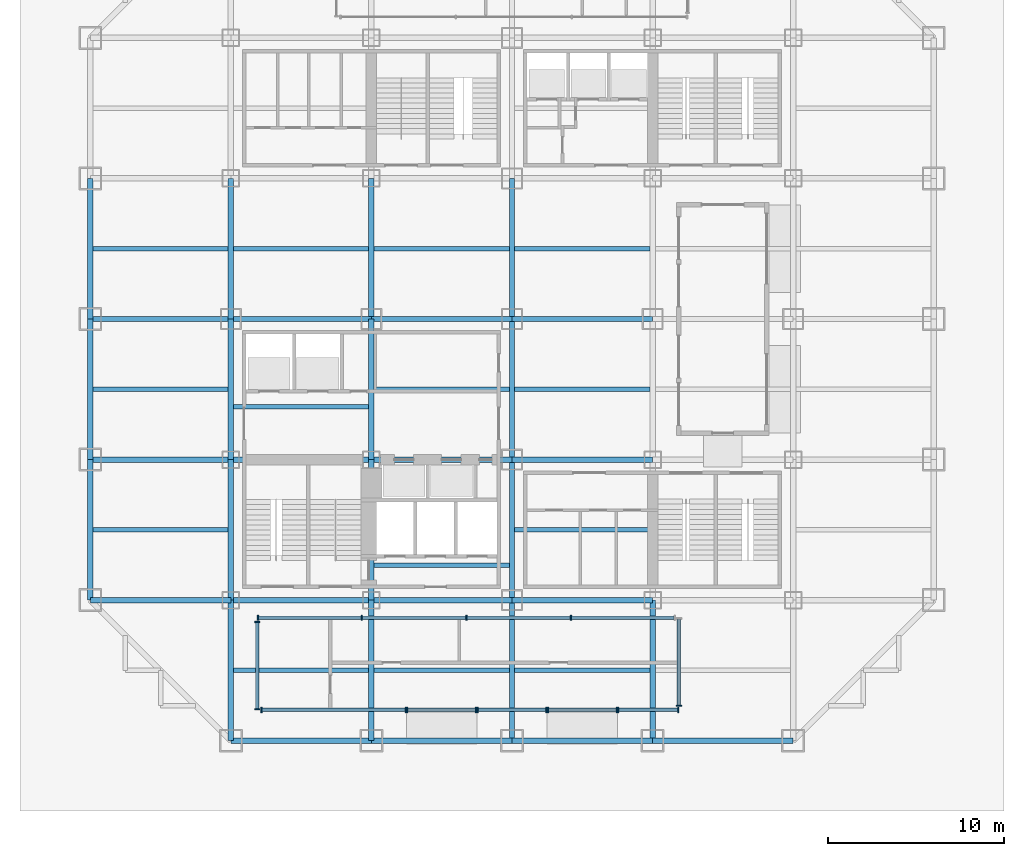
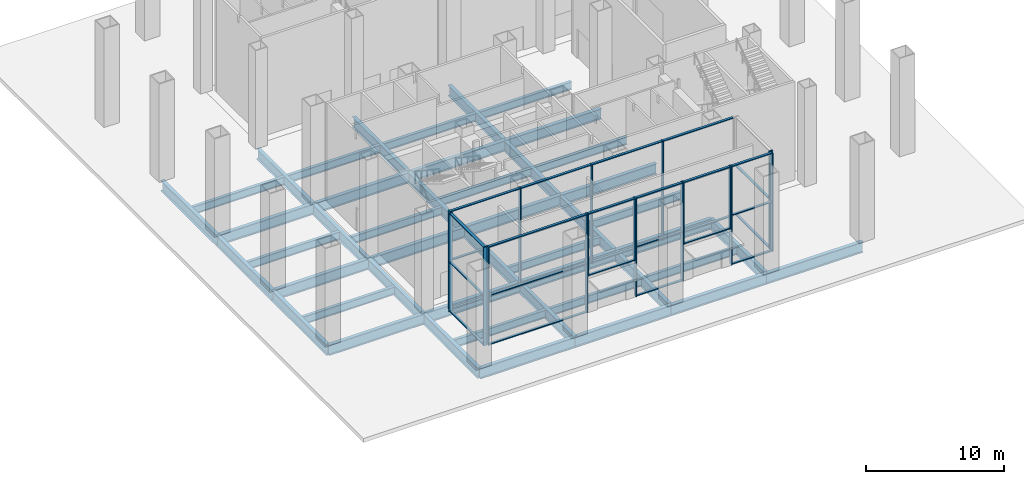
# One storey, part 2 of 14: 47 members, 46 beams, 8 elements without a shape of their own.
"""IFC4 building model written with IfcOpenShell, lengths in metres."""

from ifc_helpers import new_model, si_unit, direction, frame, origin, origin_2d, place, context, subcontext, project, spatial, rectangle, i_section, extrude, material, material_profile, profile_set, type_object, element, aggregate, save


model = new_model("IFC4")

# Units and contexts
model_context = context("Model", 3, precision=1e-05, world=origin(), true_north=direction((0.0, 1.0)))
body_context = subcontext(model_context, "Body", "Model", "MODEL_VIEW")
ifc_project = project(units=[si_unit("LENGTHUNIT", "METRE"), si_unit("AREAUNIT", "SQUARE_METRE"), si_unit("VOLUMEUNIT", "CUBIC_METRE"), si_unit("PLANEANGLEUNIT", "RADIAN"), si_unit("MASSUNIT", "GRAM", prefix="KILO")], contexts=[model_context])

# Site, building, storey
site_placement = place(None, origin())
site = spatial("IfcSite", under=ifc_project, at=site_placement, CompositionType="ELEMENT")
building_placement = place(site_placement, origin())
building = spatial("IfcBuilding", under=site, at=building_placement, Name="Immortelle Media Tower", CompositionType="ELEMENT")
storey_placement = place(building_placement, origin())
storey = spatial("IfcBuildingStorey", under=building, at=storey_placement, Name="G", CompositionType="ELEMENT", Elevation=0.0)

# Curtain wall, member
ifc_material_1 = material(Name="Aluminium curtain wall system", Category="aluminium")
curtain_wall_type = type_object("IfcCurtainWallType", Name="Lobby glazing curtain wall", PredefinedType="NOTDEFINED", material=ifc_material_1)
curtain_wall_1_placement = place(storey_placement, origin())
curtain_wall_1 = element("IfcCurtainWall", 1, at=curtain_wall_1_placement, inside=storey, type_object=curtain_wall_type, Name="Lobby glazing G E 1", PredefinedType="NOTDEFINED")
ifc_material_2 = material(Name="Aluminium 6063-T6", Category="aluminium")
ifc_material_profile_1 = material_profile(ifc_material_2, rectangle(XDim=0.300048828125, YDim=0.080078125, at=origin_2d()), Name="AL 80x300")
ifc_profile_set_1 = profile_set([ifc_material_profile_1], Name="Aluminium 6063-T6")
member_type_1 = type_object("IfcMemberType", Name="Lobby glazing mullion 80 x 300", PredefinedType="MULLION", material=ifc_profile_set_1)
member_1_placement = place(storey_placement, frame((33.5, 1.989990234375, 0.0), z_axis=(0.0, 0.0, 1.0), x_axis=(-1.0, 0.0, 0.0)))
member_1 = element("IfcMember", 2, at=member_1_placement, type_object=member_type_1, Name="CW1 mullion 1", PredefinedType="MULLION", context=body_context, shape_type="SweptSolid", body=[
    extrude(rectangle(XDim=0.300048828125, YDim=0.080078125, at=origin_2d()), origin(), (0.0, 0.0, 1.0), 8.699951171875),
])

# Curtain wall, members
curtain_wall_2_placement = place(storey_placement, origin())
curtain_wall_2 = element("IfcCurtainWall", 3, at=curtain_wall_2_placement, inside=storey, type_object=curtain_wall_type, Name="Lobby glazing G N 2", PredefinedType="NOTDEFINED")
member_2_placement = place(storey_placement, frame((27.35009765625, 7.0, 0.0), z_axis=(0.0, 0.0, 1.0), x_axis=(0.0, -1.0, 0.0)))
member_2 = element("IfcMember", 4, at=member_2_placement, type_object=member_type_1, Name="CW1 mullion 2", PredefinedType="MULLION", context=body_context, shape_type="SweptSolid", body=[
    extrude(rectangle(XDim=0.300048828125, YDim=0.080078125, at=origin_2d()), origin(), (0.0, 0.0, 1.0), 8.699951171875),
])
member_3_placement = place(storey_placement, frame((21.39990234375, 7.0, 0.0), z_axis=(0.0, 0.0, 1.0), x_axis=(0.0, -1.0, 0.0)))
member_3 = element("IfcMember", 5, at=member_3_placement, type_object=member_type_1, Name="CW1 mullion 3", PredefinedType="MULLION", context=body_context, shape_type="SweptSolid", body=[
    extrude(rectangle(XDim=0.300048828125, YDim=0.080078125, at=origin_2d()), origin(), (0.0, 0.0, 1.0), 8.699951171875),
])
member_4_placement = place(storey_placement, frame((15.449951171875, 7.0, 0.0), z_axis=(0.0, 0.0, 1.0), x_axis=(0.0, -1.0, 0.0)))
member_4 = element("IfcMember", 6, at=member_4_placement, type_object=member_type_1, Name="CW1 mullion 4", PredefinedType="MULLION", context=body_context, shape_type="SweptSolid", body=[
    extrude(rectangle(XDim=0.300048828125, YDim=0.080078125, at=origin_2d()), origin(), (0.0, 0.0, 1.0), 8.699951171875),
])
member_5_placement = place(storey_placement, frame((9.5400390625, 7.0, 0.0), z_axis=(0.0, 0.0, 1.0), x_axis=(0.0, -1.0, 0.0)))
member_5 = element("IfcMember", 7, at=member_5_placement, type_object=member_type_1, Name="CW1 mullion 5", PredefinedType="MULLION", context=body_context, shape_type="SweptSolid", body=[
    extrude(rectangle(XDim=0.300048828125, YDim=0.080078125, at=origin_2d()), origin(), (0.0, 0.0, 1.0), 8.699951171875),
])

curtain_wall_3_placement = place(storey_placement, origin())
curtain_wall_3 = element("IfcCurtainWall", 8, at=curtain_wall_3_placement, inside=storey, type_object=curtain_wall_type, Name="Lobby glazing G W 3", PredefinedType="NOTDEFINED")
member_6_placement = place(storey_placement, frame((9.5, 6.760009765625, 0.0), z_axis=(0.0, 0.0, 1.0), x_axis=(1.0, 0.0, 0.0)))
member_6 = element("IfcMember", 9, at=member_6_placement, type_object=member_type_1, Name="CW1 mullion 1", PredefinedType="MULLION", context=body_context, shape_type="SweptSolid", body=[
    extrude(rectangle(XDim=0.300048828125, YDim=0.080078125, at=origin_2d()), origin(), (0.0, 0.0, 1.0), 8.699951171875),
])
member_7_placement = place(storey_placement, frame((9.5, 1.7900390625, 0.0), z_axis=(0.0, 0.0, 1.0), x_axis=(1.0, 0.0, 0.0)))
member_7 = element("IfcMember", 10, at=member_7_placement, type_object=member_type_1, Name="CW1 mullion 2", PredefinedType="MULLION", context=body_context, shape_type="SweptSolid", body=[
    extrude(rectangle(XDim=0.300048828125, YDim=0.080078125, at=origin_2d()), origin(), (0.0, 0.0, 1.0), 8.699951171875),
])

curtain_wall_4_placement = place(storey_placement, origin())
curtain_wall_4 = element("IfcCurtainWall", 11, at=curtain_wall_4_placement, inside=storey, type_object=curtain_wall_type, Name="Lobby glazing G S 4-1", PredefinedType="NOTDEFINED")
member_8_placement = place(storey_placement, frame((9.739990234375, 1.75, 0.0), z_axis=(0.0, 0.0, 1.0), x_axis=(0.0, 1.0, 0.0)))
member_8 = element("IfcMember", 12, at=member_8_placement, type_object=member_type_1, Name="CW1 mullion 1", PredefinedType="MULLION", context=body_context, shape_type="SweptSolid", body=[
    extrude(rectangle(XDim=0.300048828125, YDim=0.080078125, at=origin_2d()), origin(), (0.0, 0.0, 1.0), 8.699951171875),
])
member_9_placement = place(storey_placement, frame((17.9599609375, 1.75, 0.0), z_axis=(0.0, 0.0, 1.0), x_axis=(0.0, 1.0, 0.0)))
member_9 = element("IfcMember", 13, at=member_9_placement, type_object=member_type_1, Name="CW1 mullion 2", PredefinedType="MULLION", context=body_context, shape_type="SweptSolid", body=[
    extrude(rectangle(XDim=0.300048828125, YDim=0.080078125, at=origin_2d()), origin(), (0.0, 0.0, 1.0), 8.699951171875),
])

curtain_wall_5_placement = place(storey_placement, origin())
curtain_wall_5 = element("IfcCurtainWall", 14, at=curtain_wall_5_placement, inside=storey, type_object=curtain_wall_type, Name="Lobby glazing above doors G S 4-2", PredefinedType="NOTDEFINED")
member_10_placement = place(storey_placement, frame((18.0400390625, 1.75, 3.199951171875), z_axis=(0.0, 0.0, 1.0), x_axis=(0.0, 1.0, 0.0)))
member_10 = element("IfcMember", 15, at=member_10_placement, type_object=member_type_1, Name="CW1 mullion 1", PredefinedType="MULLION", context=body_context, shape_type="SweptSolid", body=[
    extrude(rectangle(XDim=0.300048828125, YDim=0.080078125, at=origin_2d()), origin(), (0.0, 0.0, 1.0), 5.5),
])
member_11_placement = place(storey_placement, frame((21.9599609375, 1.75, 3.199951171875), z_axis=(0.0, 0.0, 1.0), x_axis=(0.0, 1.0, 0.0)))
member_11 = element("IfcMember", 16, at=member_11_placement, type_object=member_type_1, Name="CW1 mullion 2", PredefinedType="MULLION", context=body_context, shape_type="SweptSolid", body=[
    extrude(rectangle(XDim=0.300048828125, YDim=0.080078125, at=origin_2d()), origin(), (0.0, 0.0, 1.0), 5.5),
])

curtain_wall_6_placement = place(storey_placement, origin())
curtain_wall_6 = element("IfcCurtainWall", 17, at=curtain_wall_6_placement, inside=storey, type_object=curtain_wall_type, Name="Lobby glazing G S 4-3", PredefinedType="NOTDEFINED")
member_12_placement = place(storey_placement, frame((22.0400390625, 1.75, 0.0), z_axis=(0.0, 0.0, 1.0), x_axis=(0.0, 1.0, 0.0)))
member_12 = element("IfcMember", 18, at=member_12_placement, type_object=member_type_1, Name="CW1 mullion 1", PredefinedType="MULLION", context=body_context, shape_type="SweptSolid", body=[
    extrude(rectangle(XDim=0.300048828125, YDim=0.080078125, at=origin_2d()), origin(), (0.0, 0.0, 1.0), 8.699951171875),
])
member_13_placement = place(storey_placement, frame((25.9599609375, 1.75, 0.0), z_axis=(0.0, 0.0, 1.0), x_axis=(0.0, 1.0, 0.0)))
member_13 = element("IfcMember", 19, at=member_13_placement, type_object=member_type_1, Name="CW1 mullion 2", PredefinedType="MULLION", context=body_context, shape_type="SweptSolid", body=[
    extrude(rectangle(XDim=0.300048828125, YDim=0.080078125, at=origin_2d()), origin(), (0.0, 0.0, 1.0), 8.699951171875),
])

curtain_wall_7_placement = place(storey_placement, origin())
curtain_wall_7 = element("IfcCurtainWall", 20, at=curtain_wall_7_placement, inside=storey, type_object=curtain_wall_type, Name="Lobby glazing above doors G S 4-4", PredefinedType="NOTDEFINED")
member_14_placement = place(storey_placement, frame((26.0400390625, 1.75, 3.199951171875), z_axis=(0.0, 0.0, 1.0), x_axis=(0.0, 1.0, 0.0)))
member_14 = element("IfcMember", 21, at=member_14_placement, type_object=member_type_1, Name="CW1 mullion 1", PredefinedType="MULLION", context=body_context, shape_type="SweptSolid", body=[
    extrude(rectangle(XDim=0.300048828125, YDim=0.080078125, at=origin_2d()), origin(), (0.0, 0.0, 1.0), 5.5),
])
member_15_placement = place(storey_placement, frame((29.9599609375, 1.75, 3.199951171875), z_axis=(0.0, 0.0, 1.0), x_axis=(0.0, 1.0, 0.0)))
member_15 = element("IfcMember", 22, at=member_15_placement, type_object=member_type_1, Name="CW1 mullion 2", PredefinedType="MULLION", context=body_context, shape_type="SweptSolid", body=[
    extrude(rectangle(XDim=0.300048828125, YDim=0.080078125, at=origin_2d()), origin(), (0.0, 0.0, 1.0), 5.5),
])

curtain_wall_8_placement = place(storey_placement, origin())
curtain_wall_8 = element("IfcCurtainWall", 23, at=curtain_wall_8_placement, inside=storey, type_object=curtain_wall_type, Name="Lobby glazing G S 4-5", PredefinedType="NOTDEFINED")
member_16_placement = place(storey_placement, frame((30.0400390625, 1.75, 0.0), z_axis=(0.0, 0.0, 1.0), x_axis=(0.0, 1.0, 0.0)))
member_16 = element("IfcMember", 24, at=member_16_placement, type_object=member_type_1, Name="CW1 mullion 1", PredefinedType="MULLION", context=body_context, shape_type="SweptSolid", body=[
    extrude(rectangle(XDim=0.300048828125, YDim=0.080078125, at=origin_2d()), origin(), (0.0, 0.0, 1.0), 8.699951171875),
])
member_17_placement = place(storey_placement, frame((33.4599609375, 1.75, 0.0), z_axis=(0.0, 0.0, 1.0), x_axis=(0.0, 1.0, 0.0)))
member_17 = element("IfcMember", 25, at=member_17_placement, type_object=member_type_1, Name="CW1 mullion 2", PredefinedType="MULLION", context=body_context, shape_type="SweptSolid", body=[
    extrude(rectangle(XDim=0.300048828125, YDim=0.080078125, at=origin_2d()), origin(), (0.0, 0.0, 1.0), 8.699951171875),
])

# Member
ifc_material_profile_2 = material_profile(ifc_material_2, rectangle(XDim=0.199951171875, YDim=0.080078125, at=origin_2d()), Name="AL 80x200")
ifc_profile_set_2 = profile_set([ifc_material_profile_2], Name="Aluminium 6063-T6")
member_type_2 = type_object("IfcMemberType", Name="Lobby glazing transom 80 x 200", PredefinedType="USERDEFINED", material=ifc_profile_set_2)
member_18_placement = place(storey_placement, frame((33.5, 2.030029296875, 0.0400390625), z_axis=(0.0, 1.0, 0.0), x_axis=(-1.0, 0.0, 0.0)))
member_18 = element("IfcMember", 26, at=member_18_placement, type_object=member_type_2, Name="CW1 transom 1.1", ObjectType="TRANSOM", PredefinedType="USERDEFINED", context=body_context, shape_type="SweptSolid", body=[
    extrude(rectangle(XDim=0.199951171875, YDim=0.080078125, at=origin_2d()), origin(), (0.0, 0.0, 1.0), 4.889892578125),
])

member_19_placement = place(storey_placement, frame((33.5, 2.030029296875, 4.35009765625), z_axis=(0.0, 1.0, 0.0), x_axis=(-1.0, 0.0, 0.0)))
member_19 = element("IfcMember", 27, at=member_19_placement, type_object=member_type_2, Name="CW1 transom 1.2", ObjectType="TRANSOM", PredefinedType="USERDEFINED", context=body_context, shape_type="SweptSolid", body=[
    extrude(rectangle(XDim=0.199951171875, YDim=0.080078125, at=origin_2d()), origin(), (0.0, 0.0, 1.0), 4.889892578125),
])

aggregate(curtain_wall_1, [member_1, member_18, member_19])

member_20_placement = place(storey_placement, frame((33.219970703125, 7.0, 0.0400390625), z_axis=(-1.0, 0.0, 0.0), x_axis=(0.0, -1.0, 0.0)))
member_20 = element("IfcMember", 28, at=member_20_placement, type_object=member_type_2, Name="CW1 transom 1.1", ObjectType="TRANSOM", PredefinedType="USERDEFINED", context=body_context, shape_type="SweptSolid", body=[
    extrude(rectangle(XDim=0.199951171875, YDim=0.080078125, at=origin_2d()), origin(), (0.0, 0.0, 1.0), 5.830078125),
])

member_21_placement = place(storey_placement, frame((33.219970703125, 7.0, 4.35009765625), z_axis=(-1.0, 0.0, 0.0), x_axis=(0.0, -1.0, 0.0)))
member_21 = element("IfcMember", 29, at=member_21_placement, type_object=member_type_2, Name="CW1 transom 1.2", ObjectType="TRANSOM", PredefinedType="USERDEFINED", context=body_context, shape_type="SweptSolid", body=[
    extrude(rectangle(XDim=0.199951171875, YDim=0.080078125, at=origin_2d()), origin(), (0.0, 0.0, 1.0), 5.830078125),
])

member_22_placement = place(storey_placement, frame((33.219970703125, 7.0, 8.659912109375), z_axis=(-1.0, 0.0, 0.0), x_axis=(0.0, -1.0, 0.0)))
member_22 = element("IfcMember", 30, at=member_22_placement, type_object=member_type_2, Name="CW1 transom 1.3", ObjectType="TRANSOM", PredefinedType="USERDEFINED", context=body_context, shape_type="SweptSolid", body=[
    extrude(rectangle(XDim=0.199951171875, YDim=0.080078125, at=origin_2d()), origin(), (0.0, 0.0, 1.0), 5.830078125),
])

member_23_placement = place(storey_placement, frame((27.31005859375, 7.0, 0.0400390625), z_axis=(-1.0, 0.0, 0.0), x_axis=(0.0, -1.0, 0.0)))
member_23 = element("IfcMember", 31, at=member_23_placement, type_object=member_type_2, Name="CW1 transom 2.1", ObjectType="TRANSOM", PredefinedType="USERDEFINED", context=body_context, shape_type="SweptSolid", body=[
    extrude(rectangle(XDim=0.199951171875, YDim=0.080078125, at=origin_2d()), origin(), (0.0, 0.0, 1.0), 5.8701171875),
])

member_24_placement = place(storey_placement, frame((27.31005859375, 7.0, 4.35009765625), z_axis=(-1.0, 0.0, 0.0), x_axis=(0.0, -1.0, 0.0)))
member_24 = element("IfcMember", 32, at=member_24_placement, type_object=member_type_2, Name="CW1 transom 2.2", ObjectType="TRANSOM", PredefinedType="USERDEFINED", context=body_context, shape_type="SweptSolid", body=[
    extrude(rectangle(XDim=0.199951171875, YDim=0.080078125, at=origin_2d()), origin(), (0.0, 0.0, 1.0), 5.8701171875),
])

member_25_placement = place(storey_placement, frame((27.31005859375, 7.0, 8.659912109375), z_axis=(-1.0, 0.0, 0.0), x_axis=(0.0, -1.0, 0.0)))
member_25 = element("IfcMember", 33, at=member_25_placement, type_object=member_type_2, Name="CW1 transom 2.3", ObjectType="TRANSOM", PredefinedType="USERDEFINED", context=body_context, shape_type="SweptSolid", body=[
    extrude(rectangle(XDim=0.199951171875, YDim=0.080078125, at=origin_2d()), origin(), (0.0, 0.0, 1.0), 5.8701171875),
])

member_26_placement = place(storey_placement, frame((21.360107421875, 7.0, 0.0400390625), z_axis=(-1.0, 0.0, 0.0), x_axis=(0.0, -1.0, 0.0)))
member_26 = element("IfcMember", 34, at=member_26_placement, type_object=member_type_2, Name="CW1 transom 3.1", ObjectType="TRANSOM", PredefinedType="USERDEFINED", context=body_context, shape_type="SweptSolid", body=[
    extrude(rectangle(XDim=0.199951171875, YDim=0.080078125, at=origin_2d()), origin(), (0.0, 0.0, 1.0), 5.8701171875),
])

member_27_placement = place(storey_placement, frame((21.360107421875, 7.0, 4.35009765625), z_axis=(-1.0, 0.0, 0.0), x_axis=(0.0, -1.0, 0.0)))
member_27 = element("IfcMember", 35, at=member_27_placement, type_object=member_type_2, Name="CW1 transom 3.2", ObjectType="TRANSOM", PredefinedType="USERDEFINED", context=body_context, shape_type="SweptSolid", body=[
    extrude(rectangle(XDim=0.199951171875, YDim=0.080078125, at=origin_2d()), origin(), (0.0, 0.0, 1.0), 5.8701171875),
])

member_28_placement = place(storey_placement, frame((21.360107421875, 7.0, 8.659912109375), z_axis=(-1.0, 0.0, 0.0), x_axis=(0.0, -1.0, 0.0)))
member_28 = element("IfcMember", 36, at=member_28_placement, type_object=member_type_2, Name="CW1 transom 3.3", ObjectType="TRANSOM", PredefinedType="USERDEFINED", context=body_context, shape_type="SweptSolid", body=[
    extrude(rectangle(XDim=0.199951171875, YDim=0.080078125, at=origin_2d()), origin(), (0.0, 0.0, 1.0), 5.8701171875),
])

member_29_placement = place(storey_placement, frame((15.409912109375, 7.0, 0.0400390625), z_axis=(-1.0, 0.0, 0.0), x_axis=(0.0, -1.0, 0.0)))
member_29 = element("IfcMember", 37, at=member_29_placement, type_object=member_type_2, Name="CW1 transom 4.1", ObjectType="TRANSOM", PredefinedType="USERDEFINED", context=body_context, shape_type="SweptSolid", body=[
    extrude(rectangle(XDim=0.199951171875, YDim=0.080078125, at=origin_2d()), origin(), (0.0, 0.0, 1.0), 5.829833984375),
])

member_30_placement = place(storey_placement, frame((15.409912109375, 7.0, 4.35009765625), z_axis=(-1.0, 0.0, 0.0), x_axis=(0.0, -1.0, 0.0)))
member_30 = element("IfcMember", 38, at=member_30_placement, type_object=member_type_2, Name="CW1 transom 4.2", ObjectType="TRANSOM", PredefinedType="USERDEFINED", context=body_context, shape_type="SweptSolid", body=[
    extrude(rectangle(XDim=0.199951171875, YDim=0.080078125, at=origin_2d()), origin(), (0.0, 0.0, 1.0), 5.829833984375),
])

member_31_placement = place(storey_placement, frame((15.409912109375, 7.0, 8.659912109375), z_axis=(-1.0, 0.0, 0.0), x_axis=(0.0, -1.0, 0.0)))
member_31 = element("IfcMember", 39, at=member_31_placement, type_object=member_type_2, Name="CW1 transom 4.3", ObjectType="TRANSOM", PredefinedType="USERDEFINED", context=body_context, shape_type="SweptSolid", body=[
    extrude(rectangle(XDim=0.199951171875, YDim=0.080078125, at=origin_2d()), origin(), (0.0, 0.0, 1.0), 5.829833984375),
])

aggregate(curtain_wall_2, [member_2, member_3, member_4, member_5, member_20, member_21, member_22, member_23, member_24, member_25, member_26, member_27, member_28, member_29, member_30, member_31])

member_32_placement = place(storey_placement, frame((9.5, 6.719970703125, 0.0400390625), z_axis=(0.0, -1.0, 0.0), x_axis=(1.0, 0.0, 0.0)))
member_32 = element("IfcMember", 40, at=member_32_placement, type_object=member_type_2, Name="CW1 transom 1.1", ObjectType="TRANSOM", PredefinedType="USERDEFINED", context=body_context, shape_type="SweptSolid", body=[
    extrude(rectangle(XDim=0.199951171875, YDim=0.080078125, at=origin_2d()), origin(), (0.0, 0.0, 1.0), 4.889892578125),
])

member_33_placement = place(storey_placement, frame((9.5, 6.719970703125, 4.35009765625), z_axis=(0.0, -1.0, 0.0), x_axis=(1.0, 0.0, 0.0)))
member_33 = element("IfcMember", 41, at=member_33_placement, type_object=member_type_2, Name="CW1 transom 1.2", ObjectType="TRANSOM", PredefinedType="USERDEFINED", context=body_context, shape_type="SweptSolid", body=[
    extrude(rectangle(XDim=0.199951171875, YDim=0.080078125, at=origin_2d()), origin(), (0.0, 0.0, 1.0), 4.889892578125),
])

member_34_placement = place(storey_placement, frame((9.5, 6.719970703125, 8.659912109375), z_axis=(0.0, -1.0, 0.0), x_axis=(1.0, 0.0, 0.0)))
member_34 = element("IfcMember", 42, at=member_34_placement, type_object=member_type_2, Name="CW1 transom 1.3", ObjectType="TRANSOM", PredefinedType="USERDEFINED", context=body_context, shape_type="SweptSolid", body=[
    extrude(rectangle(XDim=0.199951171875, YDim=0.080078125, at=origin_2d()), origin(), (0.0, 0.0, 1.0), 4.889892578125),
])

aggregate(curtain_wall_3, [member_6, member_7, member_32, member_33, member_34])

member_35_placement = place(storey_placement, frame((9.780029296875, 1.75, 0.0400390625), z_axis=(1.0, 0.0, 0.0), x_axis=(0.0, 1.0, 0.0)))
member_35 = element("IfcMember", 43, at=member_35_placement, type_object=member_type_2, Name="CW1 transom 1.1", ObjectType="TRANSOM", PredefinedType="USERDEFINED", context=body_context, shape_type="SweptSolid", body=[
    extrude(rectangle(XDim=0.199951171875, YDim=0.080078125, at=origin_2d()), origin(), (0.0, 0.0, 1.0), 8.139892578125),
])

member_36_placement = place(storey_placement, frame((9.780029296875, 1.75, 4.35009765625), z_axis=(1.0, 0.0, 0.0), x_axis=(0.0, 1.0, 0.0)))
member_36 = element("IfcMember", 44, at=member_36_placement, type_object=member_type_2, Name="CW1 transom 1.2", ObjectType="TRANSOM", PredefinedType="USERDEFINED", context=body_context, shape_type="SweptSolid", body=[
    extrude(rectangle(XDim=0.199951171875, YDim=0.080078125, at=origin_2d()), origin(), (0.0, 0.0, 1.0), 8.139892578125),
])

member_37_placement = place(storey_placement, frame((9.780029296875, 1.75, 8.659912109375), z_axis=(1.0, 0.0, 0.0), x_axis=(0.0, 1.0, 0.0)))
member_37 = element("IfcMember", 45, at=member_37_placement, type_object=member_type_2, Name="CW1 transom 1.3", ObjectType="TRANSOM", PredefinedType="USERDEFINED", context=body_context, shape_type="SweptSolid", body=[
    extrude(rectangle(XDim=0.199951171875, YDim=0.080078125, at=origin_2d()), origin(), (0.0, 0.0, 1.0), 8.139892578125),
])

aggregate(curtain_wall_4, [member_8, member_9, member_35, member_36, member_37])

member_38_placement = place(storey_placement, frame((18.080078125, 1.75, 3.239990234375), z_axis=(1.0, 0.0, 0.0), x_axis=(0.0, 1.0, 0.0)))
member_38 = element("IfcMember", 46, at=member_38_placement, type_object=member_type_2, Name="CW1 transom 1.1", ObjectType="TRANSOM", PredefinedType="USERDEFINED", context=body_context, shape_type="SweptSolid", body=[
    extrude(rectangle(XDim=0.199951171875, YDim=0.080078125, at=origin_2d()), origin(), (0.0, 0.0, 1.0), 3.83984375),
])

member_39_placement = place(storey_placement, frame((18.080078125, 1.75, 8.659912109375), z_axis=(1.0, 0.0, 0.0), x_axis=(0.0, 1.0, 0.0)))
member_39 = element("IfcMember", 47, at=member_39_placement, type_object=member_type_2, Name="CW1 transom 1.2", ObjectType="TRANSOM", PredefinedType="USERDEFINED", context=body_context, shape_type="SweptSolid", body=[
    extrude(rectangle(XDim=0.199951171875, YDim=0.080078125, at=origin_2d()), origin(), (0.0, 0.0, 1.0), 3.83984375),
])

aggregate(curtain_wall_5, [member_10, member_11, member_38, member_39])

member_40_placement = place(storey_placement, frame((22.080078125, 1.75, 0.0400390625), z_axis=(1.0, 0.0, 0.0), x_axis=(0.0, 1.0, 0.0)))
member_40 = element("IfcMember", 48, at=member_40_placement, type_object=member_type_2, Name="CW1 transom 1.1", ObjectType="TRANSOM", PredefinedType="USERDEFINED", context=body_context, shape_type="SweptSolid", body=[
    extrude(rectangle(XDim=0.199951171875, YDim=0.080078125, at=origin_2d()), origin(), (0.0, 0.0, 1.0), 3.83984375),
])

member_41_placement = place(storey_placement, frame((22.080078125, 1.75, 4.35009765625), z_axis=(1.0, 0.0, 0.0), x_axis=(0.0, 1.0, 0.0)))
member_41 = element("IfcMember", 49, at=member_41_placement, type_object=member_type_2, Name="CW1 transom 1.2", ObjectType="TRANSOM", PredefinedType="USERDEFINED", context=body_context, shape_type="SweptSolid", body=[
    extrude(rectangle(XDim=0.199951171875, YDim=0.080078125, at=origin_2d()), origin(), (0.0, 0.0, 1.0), 3.83984375),
])

member_42_placement = place(storey_placement, frame((22.080078125, 1.75, 8.659912109375), z_axis=(1.0, 0.0, 0.0), x_axis=(0.0, 1.0, 0.0)))
member_42 = element("IfcMember", 50, at=member_42_placement, type_object=member_type_2, Name="CW1 transom 1.3", ObjectType="TRANSOM", PredefinedType="USERDEFINED", context=body_context, shape_type="SweptSolid", body=[
    extrude(rectangle(XDim=0.199951171875, YDim=0.080078125, at=origin_2d()), origin(), (0.0, 0.0, 1.0), 3.83984375),
])

aggregate(curtain_wall_6, [member_12, member_13, member_40, member_41, member_42])

member_43_placement = place(storey_placement, frame((26.080078125, 1.75, 3.239990234375), z_axis=(1.0, 0.0, 0.0), x_axis=(0.0, 1.0, 0.0)))
member_43 = element("IfcMember", 51, at=member_43_placement, type_object=member_type_2, Name="CW1 transom 1.1", ObjectType="TRANSOM", PredefinedType="USERDEFINED", context=body_context, shape_type="SweptSolid", body=[
    extrude(rectangle(XDim=0.199951171875, YDim=0.080078125, at=origin_2d()), origin(), (0.0, 0.0, 1.0), 3.83984375),
])

member_44_placement = place(storey_placement, frame((26.080078125, 1.75, 8.659912109375), z_axis=(1.0, 0.0, 0.0), x_axis=(0.0, 1.0, 0.0)))
member_44 = element("IfcMember", 52, at=member_44_placement, type_object=member_type_2, Name="CW1 transom 1.2", ObjectType="TRANSOM", PredefinedType="USERDEFINED", context=body_context, shape_type="SweptSolid", body=[
    extrude(rectangle(XDim=0.199951171875, YDim=0.080078125, at=origin_2d()), origin(), (0.0, 0.0, 1.0), 3.83984375),
])

aggregate(curtain_wall_7, [member_14, member_15, member_43, member_44])

member_45_placement = place(storey_placement, frame((30.080078125, 1.75, 0.0400390625), z_axis=(1.0, 0.0, 0.0), x_axis=(0.0, 1.0, 0.0)))
member_45 = element("IfcMember", 53, at=member_45_placement, type_object=member_type_2, Name="CW1 transom 1.1", ObjectType="TRANSOM", PredefinedType="USERDEFINED", context=body_context, shape_type="SweptSolid", body=[
    extrude(rectangle(XDim=0.199951171875, YDim=0.080078125, at=origin_2d()), origin(), (0.0, 0.0, 1.0), 3.33984375),
])

member_46_placement = place(storey_placement, frame((30.080078125, 1.75, 4.35009765625), z_axis=(1.0, 0.0, 0.0), x_axis=(0.0, 1.0, 0.0)))
member_46 = element("IfcMember", 54, at=member_46_placement, type_object=member_type_2, Name="CW1 transom 1.2", ObjectType="TRANSOM", PredefinedType="USERDEFINED", context=body_context, shape_type="SweptSolid", body=[
    extrude(rectangle(XDim=0.199951171875, YDim=0.080078125, at=origin_2d()), origin(), (0.0, 0.0, 1.0), 3.33984375),
])

member_47_placement = place(storey_placement, frame((30.080078125, 1.75, 8.659912109375), z_axis=(1.0, 0.0, 0.0), x_axis=(0.0, 1.0, 0.0)))
member_47 = element("IfcMember", 55, at=member_47_placement, type_object=member_type_2, Name="CW1 transom 1.3", ObjectType="TRANSOM", PredefinedType="USERDEFINED", context=body_context, shape_type="SweptSolid", body=[
    extrude(rectangle(XDim=0.199951171875, YDim=0.080078125, at=origin_2d()), origin(), (0.0, 0.0, 1.0), 3.33984375),
])

aggregate(curtain_wall_8, [member_16, member_17, member_45, member_46, member_47])

# Beams
ifc_material_3 = material(Name="Steel ASTM A992 Gr 50", Category="steel")
ifc_material_profile_3 = material_profile(ifc_material_3, i_section(OverallWidth=0.257080078125, OverallDepth=0.693115234375, WebThickness=0.013916015625, FlangeThickness=0.02392578125, at=origin_2d()), Name="W27x114")
ifc_profile_set_3 = profile_set([ifc_material_profile_3], Name="Steel ASTM A992 Gr 50")
beam_type_1 = type_object("IfcBeamType", Name="W27x114 secondary beam", PredefinedType="JOIST", material=ifc_profile_set_3)
for number, where, z_axis, x_axis, name in (
    (56, (8.153564453125, 4.0, -0.696533203125), (1.0, 0.0, 0.0), (0.0, 1.0, 0.0), "Beam A-B/2-3"),
    (57, (16.153564453125, 4.0, -0.696533203125), (1.0, 0.0, 0.0), (0.0, 1.0, 0.0), "Beam A-B/3-4"),
    (58, (24.153564453125, 4.0, -0.696533203125), (1.0, 0.0, 0.0), (0.0, 1.0, 0.0), "Beam A-B/4-5"),
):
    element("IfcBeam", number, at=place(storey_placement, frame(where, z_axis=z_axis, x_axis=x_axis)), inside=storey, type_object=beam_type_1, Name=name, PredefinedType="JOIST", context=body_context, shape_type="SweptSolid", body=[
        extrude(i_section(OverallWidth=0.257080078125, OverallDepth=0.693115234375, WebThickness=0.013916015625, FlangeThickness=0.02392578125, at=origin_2d()), origin(), (0.0, 0.0, 1.0), 7.69287109375),
    ])
beam_1_placement = place(storey_placement, frame((0.155029296875, 12.0, -0.696533203125), z_axis=(1.0, 0.0, 0.0), x_axis=(0.0, 1.0, 0.0)))
element("IfcBeam", 59, at=beam_1_placement, inside=storey, type_object=beam_type_1, Name="Beam B-C/1-2", PredefinedType="JOIST", context=body_context, shape_type="SweptSolid", body=[
    extrude(i_section(OverallWidth=0.257080078125, OverallDepth=0.693115234375, WebThickness=0.013916015625, FlangeThickness=0.02392578125, at=origin_2d()), origin(), (0.0, 0.0, 1.0), 7.69140625),
])
for number, where, z_axis, x_axis, name in (
    (60, (16.153564453125, 10.0, -0.696533203125), (1.0, 0.0, 0.0), (0.0, 1.0, 0.0), "Beam B-C/3-4"),
    (61, (24.153564453125, 12.0, -0.696533203125), (1.0, 0.0, 0.0), (0.0, 1.0, 0.0), "Beam B-C/4-5"),
):
    element("IfcBeam", number, at=place(storey_placement, frame(where, z_axis=z_axis, x_axis=x_axis)), inside=storey, type_object=beam_type_1, Name=name, PredefinedType="JOIST", context=body_context, shape_type="SweptSolid", body=[
        extrude(i_section(OverallWidth=0.257080078125, OverallDepth=0.693115234375, WebThickness=0.013916015625, FlangeThickness=0.02392578125, at=origin_2d()), origin(), (0.0, 0.0, 1.0), 7.69287109375),
    ])
beam_2_placement = place(storey_placement, frame((0.155029296875, 20.0, -0.696533203125), z_axis=(1.0, 0.0, 0.0), x_axis=(0.0, 1.0, 0.0)))
element("IfcBeam", 62, at=beam_2_placement, inside=storey, type_object=beam_type_1, Name="Beam C-D/1-2", PredefinedType="JOIST", context=body_context, shape_type="SweptSolid", body=[
    extrude(i_section(OverallWidth=0.257080078125, OverallDepth=0.693115234375, WebThickness=0.013916015625, FlangeThickness=0.02392578125, at=origin_2d()), origin(), (0.0, 0.0, 1.0), 7.69140625),
])
for number, where, z_axis, x_axis, name in (
    (63, (8.153564453125, 19.0, -0.696533203125), (1.0, 0.0, 0.0), (0.0, 1.0, 0.0), "Beam C-D/2-3"),
    (64, (16.153564453125, 20.0, -0.696533203125), (1.0, 0.0, 0.0), (0.0, 1.0, 0.0), "Beam C-D/3-4"),
    (65, (24.153564453125, 20.0, -0.696533203125), (1.0, 0.0, 0.0), (0.0, 1.0, 0.0), "Beam C-D/4-5"),
):
    element("IfcBeam", number, at=place(storey_placement, frame(where, z_axis=z_axis, x_axis=x_axis)), inside=storey, type_object=beam_type_1, Name=name, PredefinedType="JOIST", context=body_context, shape_type="SweptSolid", body=[
        extrude(i_section(OverallWidth=0.257080078125, OverallDepth=0.693115234375, WebThickness=0.013916015625, FlangeThickness=0.02392578125, at=origin_2d()), origin(), (0.0, 0.0, 1.0), 7.69287109375),
    ])
beam_3_placement = place(storey_placement, frame((0.155029296875, 28.0, -0.696533203125), z_axis=(1.0, 0.0, 0.0), x_axis=(0.0, 1.0, 0.0)))
element("IfcBeam", 66, at=beam_3_placement, inside=storey, type_object=beam_type_1, Name="Beam D-E/1-2", PredefinedType="JOIST", context=body_context, shape_type="SweptSolid", body=[
    extrude(i_section(OverallWidth=0.257080078125, OverallDepth=0.693115234375, WebThickness=0.013916015625, FlangeThickness=0.02392578125, at=origin_2d()), origin(), (0.0, 0.0, 1.0), 7.69140625),
])
for number, where, z_axis, x_axis, name in (
    (67, (8.153564453125, 28.0, -0.696533203125), (1.0, 0.0, 0.0), (0.0, 1.0, 0.0), "Beam D-E/2-3"),
    (68, (16.153564453125, 28.0, -0.696533203125), (1.0, 0.0, 0.0), (0.0, 1.0, 0.0), "Beam D-E/3-4"),
    (69, (24.153564453125, 28.0, -0.696533203125), (1.0, 0.0, 0.0), (0.0, 1.0, 0.0), "Beam D-E/4-5"),
):
    element("IfcBeam", number, at=place(storey_placement, frame(where, z_axis=z_axis, x_axis=x_axis)), inside=storey, type_object=beam_type_1, Name=name, PredefinedType="JOIST", context=body_context, shape_type="SweptSolid", body=[
        extrude(i_section(OverallWidth=0.257080078125, OverallDepth=0.693115234375, WebThickness=0.013916015625, FlangeThickness=0.02392578125, at=origin_2d()), origin(), (0.0, 0.0, 1.0), 7.69287109375),
    ])
ifc_material_profile_4 = material_profile(ifc_material_3, i_section(OverallWidth=0.306884765625, OverallDepth=0.927001953125, WebThickness=0.01904296875, FlangeThickness=0.031982421875, at=origin_2d()), Name="W36x194")
ifc_profile_set_4 = profile_set([ifc_material_profile_4], Name="Steel ASTM A992 Gr 50")
beam_type_2 = type_object("IfcBeamType", Name="W36x194 girder", PredefinedType="BEAM", material=ifc_profile_set_4)
for number, where, z_axis, x_axis, name in (
    (70, (0.0, 8.0, -0.8134765625), (1.0, 0.0, 0.0), (0.0, 1.0, 0.0), "Girder B/1-2"),
    (71, (0.0, 16.0, -0.8134765625), (1.0, 0.0, 0.0), (0.0, 1.0, 0.0), "Girder C/1-2"),
    (72, (0.0, 24.0, -0.8134765625), (1.0, 0.0, 0.0), (0.0, 1.0, 0.0), "Girder D/1-2"),
    (73, (8.0, 0.0, -0.8134765625), (0.0, 1.0, 0.0), (-1.0, 0.0, 0.0), "Girder 2/A-B"),
    (74, (8.0, 8.0, -0.8134765625), (1.0, 0.0, 0.0), (0.0, 1.0, 0.0), "Girder B/2-3"),
    (75, (8.0, 8.0, -0.8134765625), (0.0, 1.0, 0.0), (-1.0, 0.0, 0.0), "Girder 2/B-C"),
    (76, (8.0, 16.0, -0.8134765625), (1.0, 0.0, 0.0), (0.0, 1.0, 0.0), "Girder C/2-3"),
    (77, (8.0, 16.0, -0.8134765625), (0.0, 1.0, 0.0), (-1.0, 0.0, 0.0), "Girder 2/C-D"),
    (78, (8.0, 24.0, -0.8134765625), (1.0, 0.0, 0.0), (0.0, 1.0, 0.0), "Girder D/2-3"),
    (79, (8.0, 24.0, -0.8134765625), (0.0, 1.0, 0.0), (-1.0, 0.0, 0.0), "Girder 2/D-E"),
    (80, (16.0, 0.0, -0.8134765625), (0.0, 1.0, 0.0), (-1.0, 0.0, 0.0), "Girder 3/A-B"),
    (81, (16.0, 8.0, -0.8134765625), (1.0, 0.0, 0.0), (0.0, 1.0, 0.0), "Girder B/3-4"),
    (82, (16.0, 8.0, -0.8134765625), (0.0, 1.0, 0.0), (-1.0, 0.0, 0.0), "Girder 3/B-C"),
    (83, (16.0, 16.0, -0.8134765625), (1.0, 0.0, 0.0), (0.0, 1.0, 0.0), "Girder C/3-4"),
    (84, (16.0, 16.0, -0.8134765625), (0.0, 1.0, 0.0), (-1.0, 0.0, 0.0), "Girder 3/C-D"),
    (85, (16.0, 24.0, -0.8134765625), (1.0, 0.0, 0.0), (0.0, 1.0, 0.0), "Girder D/3-4"),
    (86, (16.0, 24.0, -0.8134765625), (0.0, 1.0, 0.0), (-1.0, 0.0, 0.0), "Girder 3/D-E"),
    (87, (24.0, 0.0, -0.8134765625), (0.0, 1.0, 0.0), (-1.0, 0.0, 0.0), "Girder 4/A-B"),
    (88, (24.0, 8.0, -0.8134765625), (1.0, 0.0, 0.0), (0.0, 1.0, 0.0), "Girder B/4-5"),
    (89, (24.0, 8.0, -0.8134765625), (0.0, 1.0, 0.0), (-1.0, 0.0, 0.0), "Girder 4/B-C"),
    (90, (24.0, 16.0, -0.8134765625), (1.0, 0.0, 0.0), (0.0, 1.0, 0.0), "Girder C/4-5"),
    (91, (24.0, 16.0, -0.8134765625), (0.0, 1.0, 0.0), (-1.0, 0.0, 0.0), "Girder 4/C-D"),
    (92, (24.0, 24.0, -0.8134765625), (1.0, 0.0, 0.0), (0.0, 1.0, 0.0), "Girder D/4-5"),
    (93, (24.0, 24.0, -0.8134765625), (0.0, 1.0, 0.0), (-1.0, 0.0, 0.0), "Girder 4/D-E"),
    (94, (32.0, 0.0, -0.8134765625), (0.0, 1.0, 0.0), (-1.0, 0.0, 0.0), "Girder 5/A-B"),
):
    element("IfcBeam", number, at=place(storey_placement, frame(where, z_axis=z_axis, x_axis=x_axis)), inside=storey, type_object=beam_type_2, Name=name, PredefinedType="BEAM", context=body_context, shape_type="SweptSolid", body=[
        extrude(i_section(OverallWidth=0.306884765625, OverallDepth=0.927001953125, WebThickness=0.01904296875, FlangeThickness=0.031982421875, at=origin_2d()), origin(), (0.0, 0.0, 1.0), 8.0),
    ])
ifc_material_profile_5 = material_profile(ifc_material_3, i_section(OverallWidth=0.31005859375, OverallDepth=0.949951171875, WebThickness=0.02392578125, FlangeThickness=0.0439453125, at=origin_2d()), Name="W36x256")
ifc_profile_set_5 = profile_set([ifc_material_profile_5], Name="Steel ASTM A992 Gr 50")
beam_type_3 = type_object("IfcBeamType", Name="W36x256 perimeter girder", PredefinedType="SPANDREL", material=ifc_profile_set_5)
for number, where, z_axis, x_axis, name in (
    (95, (0.0, 8.0, -0.824951171875), (0.0, 1.0, 0.0), (-1.0, 0.0, 0.0), "Girder 1/B-C"),
    (96, (0.0, 16.0, -0.824951171875), (0.0, 1.0, 0.0), (-1.0, 0.0, 0.0), "Girder 1/C-D"),
    (97, (0.0, 24.0, -0.824951171875), (0.0, 1.0, 0.0), (-1.0, 0.0, 0.0), "Girder 1/D-E"),
    (98, (8.0, 0.0, -0.824951171875), (1.0, 0.0, 0.0), (0.0, 1.0, 0.0), "Girder A/2-3"),
    (99, (16.0, 0.0, -0.824951171875), (1.0, 0.0, 0.0), (0.0, 1.0, 0.0), "Girder A/3-4"),
    (100, (24.0, 0.0, -0.824951171875), (1.0, 0.0, 0.0), (0.0, 1.0, 0.0), "Girder A/4-5"),
    (101, (32.0, 0.0, -0.824951171875), (1.0, 0.0, 0.0), (0.0, 1.0, 0.0), "Girder A/5-6"),
):
    element("IfcBeam", number, at=place(storey_placement, frame(where, z_axis=z_axis, x_axis=x_axis)), inside=storey, type_object=beam_type_3, Name=name, PredefinedType="SPANDREL", context=body_context, shape_type="SweptSolid", body=[
        extrude(i_section(OverallWidth=0.31005859375, OverallDepth=0.949951171875, WebThickness=0.02392578125, FlangeThickness=0.0439453125, at=origin_2d()), origin(), (0.0, 0.0, 1.0), 8.0),
    ])

save(model, "model.ifc")
